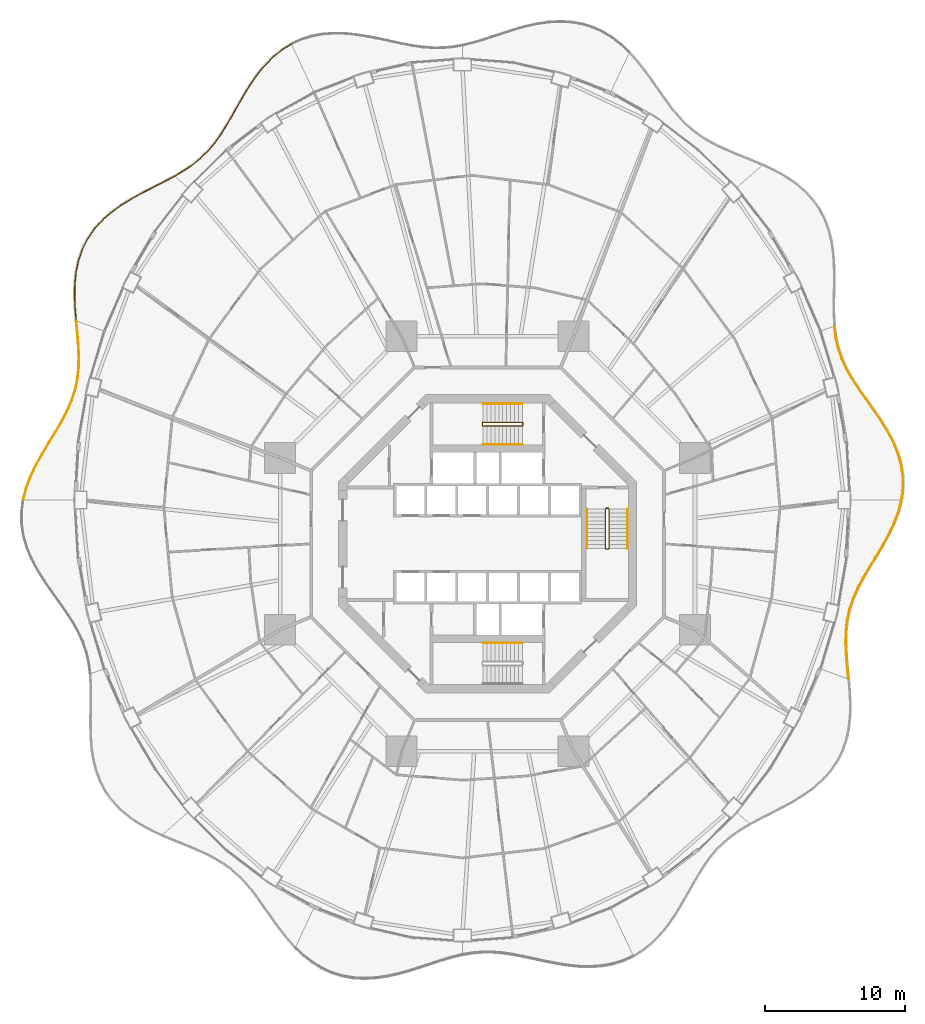
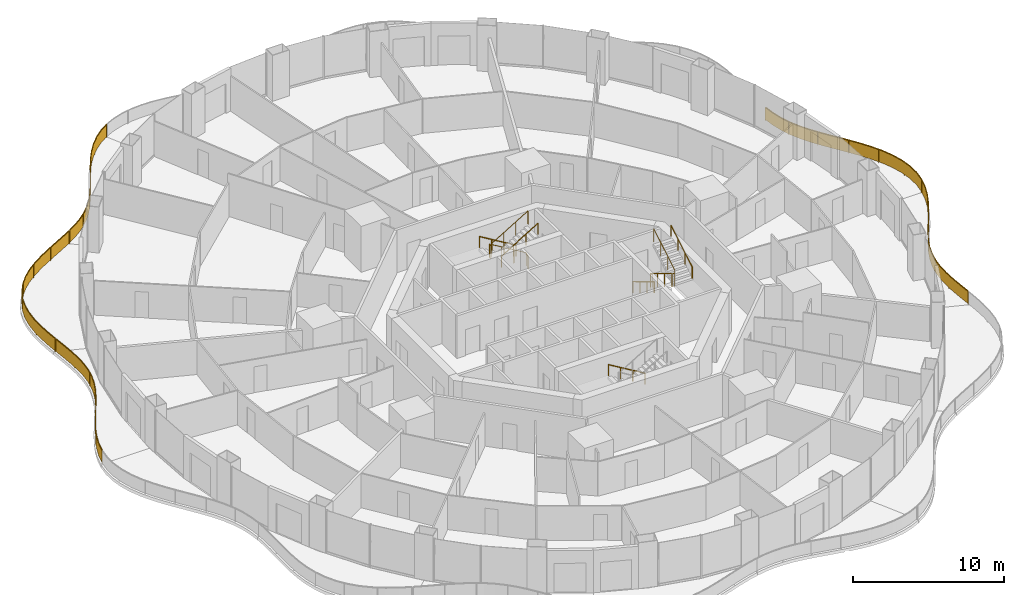
# One storey, part 21 of 22: 12 railings.
"""IFC4 building model written with IfcOpenShell, lengths in metres."""

from ifc_helpers import new_model, si_unit, direction, frame, origin, origin_2d, place, context, subcontext, project, spatial, polyline, rectangle, circle, outline, extrude, material, type_object, element, save


model = new_model("IFC4")

# Units and contexts
model_context = context("Model", 3, precision=1e-05, world=origin(), true_north=direction((0.0, 1.0)))
body_context = subcontext(model_context, "Body", "Model", "MODEL_VIEW")
ifc_project = project(units=[si_unit("LENGTHUNIT", "METRE"), si_unit("AREAUNIT", "SQUARE_METRE"), si_unit("VOLUMEUNIT", "CUBIC_METRE"), si_unit("PLANEANGLEUNIT", "RADIAN"), si_unit("MASSUNIT", "GRAM", prefix="KILO")], contexts=[model_context])

# Site, building, storey
site_placement = place(None, origin())
site = spatial("IfcSite", under=ifc_project, at=site_placement, CompositionType="ELEMENT")
building_placement = place(site_placement, origin())
building = spatial("IfcBuilding", under=site, at=building_placement, Name="Nagisa Residences", CompositionType="ELEMENT")
storey_placement = place(building_placement, frame((0.0, 0.0, 91.800048828125)))
storey = spatial("IfcBuildingStorey", under=building, at=storey_placement, Name="L22", CompositionType="ELEMENT", Elevation=91.800048828125)

# Railings
ifc_material_1 = material(Name="Stainless steel 316", Category="steel")
railing_type_1 = type_object("IfcRailingType", Name="BALCONY GUARD 1100", PredefinedType="BALUSTRADE", material=ifc_material_1)
railing_1_placement = place(storey_placement, frame((29.489501953125, 3.156005859375, 0.0)))
element("IfcRailing", 1, at=railing_1_placement, inside=storey, type_object=railing_type_1, Name="guard:L22:bal00-0", PredefinedType="BALUSTRADE", context=body_context, shape_type="SweptSolid", body=[
    extrude(outline(polyline([(0.078125, 0.807373046875), (-0.02490234375, 0.003173828125), (0.02490234375, -0.003173828125), (0.12841796875, 0.804443359375), (0.118896484375, 1.659423828125), (-0.0087890625, 2.5078125), (-0.249267578125, 3.34326171875), (-0.589599609375, 4.16015625), (-1.01025390625, 4.94140625), (-1.491455078125, 5.713134765625), (-2.00634765625, 6.462890625), (-2.52880859375, 7.19384765625), (-3.033447265625, 7.911865234375), (-3.494384765625, 8.610107421875), (-3.8994140625, 9.32421875), (-4.232421875, 10.049072265625), (-4.48681640625, 10.79296875), (-4.663330078125, 11.562744140625), (-4.761962890625, 12.321533203125), (-4.811767578125, 12.315185546875), (-4.712646484375, 11.553955078125), (-4.53515625, 10.779296875), (-4.27880859375, 10.030517578125), (-3.94384765625, 9.30126953125), (-3.536865234375, 8.583740234375), (-3.074951171875, 7.883544921875), (-2.56982421875, 7.1650390625), (-2.04736328125, 6.43408203125), (-1.533447265625, 5.685791015625), (-1.0537109375, 4.91650390625), (-0.635009765625, 4.138671875), (-0.296630859375, 3.32666015625), (-0.0576171875, 2.4970703125), (0.069091796875, 1.655517578125), (0.078125, 0.807373046875)])), frame((0.0, 0.0, 1.050048828125)), (0.0, 0.0, 1.0), 0.050048828125),
    extrude(outline(polyline([(0.09619140625, 0.806396484375), (-0.0068359375, 0.0009765625), (0.0068359375, -0.0009765625), (0.1103515625, 0.805419921875), (0.10107421875, 1.657958984375), (-0.0263671875, 2.50390625), (-0.266357421875, 3.33740234375), (-0.60595703125, 4.15234375), (-1.02587890625, 4.932373046875), (-1.506591796875, 5.703369140625), (-2.021240234375, 6.452392578125), (-2.543701171875, 7.18359375), (-3.04833984375, 7.901611328125), (-3.509765625, 8.6005859375), (-3.915283203125, 9.31591796875), (-4.2490234375, 10.04248046875), (-4.504150390625, 10.7880859375), (-4.68115234375, 11.5595703125), (-4.780029296875, 12.3193359375), (-4.793701171875, 12.3173828125), (-4.69482421875, 11.55712890625), (-4.517822265625, 10.7841796875), (-4.26220703125, 10.037109375), (-3.927978515625, 9.3095703125), (-3.521484375, 8.59326171875), (-3.06005859375, 7.893798828125), (-2.554931640625, 7.17529296875), (-2.032470703125, 6.444580078125), (-1.518310546875, 5.695556640625), (-1.0380859375, 4.925537109375), (-0.61865234375, 4.146484375), (-0.279541015625, 3.33251953125), (-0.0400390625, 2.5009765625), (0.0869140625, 1.656982421875), (0.09619140625, 0.806396484375)])), frame((0.0, 0.0, 0.06005859375)), (0.0, 0.0, 1.0), 0.989990234375),
    extrude(rectangle(XDim=0.0400390625, YDim=0.0400390625, at=origin_2d()), origin(), (0.0, 0.0, 1.0), 1.050048828125),
    extrude(rectangle(XDim=0.0400390625, YDim=0.0400390625, at=origin_2d()), frame((0.00537109375, 2.245849609375, 0.0)), (0.0, 0.0, 1.0), 1.050048828125),
    extrude(rectangle(XDim=0.0400390625, YDim=0.0400390625, at=origin_2d()), frame((-0.731201171875, 4.3701171875, 0.0)), (0.0, 0.0, 1.0), 1.050048828125),
    extrude(rectangle(XDim=0.0400390625, YDim=0.0400390625, at=origin_2d()), frame((-1.91796875, 6.2900390625, 0.0)), (0.0, 0.0, 1.0), 1.050048828125),
    extrude(rectangle(XDim=0.0400390625, YDim=0.0400390625, at=origin_2d()), frame((-3.214111328125, 8.139892578125, 0.0)), (0.0, 0.0, 1.0), 1.050048828125),
    extrude(rectangle(XDim=0.0400390625, YDim=0.0400390625, at=origin_2d()), frame((-4.2841796875, 10.12353515625, 0.0)), (0.0, 0.0, 1.0), 1.050048828125),
    extrude(rectangle(XDim=0.0400390625, YDim=0.0400390625, at=origin_2d()), frame((-4.786865234375, 12.318359375, 0.0)), (0.0, 0.0, 1.0), 1.050048828125),
])
railing_2_placement = place(storey_placement, frame((-14.01708984375, 35.57763671875, 0.0)))
element("IfcRailing", 2, at=railing_2_placement, inside=storey, type_object=railing_type_1, Name="guard:L22:bal05-0", PredefinedType="BALUSTRADE", context=body_context, shape_type="SweptSolid", body=[
    extrude(outline(polyline([(-0.63916015625, -0.42919921875), (0.01318359375, -0.021240234375), (-0.01318359375, 0.021240234375), (-0.66845703125, -0.38818359375), (-1.312255859375, -0.911376953125), (-1.901123046875, -1.510498046875), (-2.4375, -2.170166015625), (-2.9267578125, -2.873291015625), (-3.36279296875, -3.591796875), (-3.78466796875, -4.32568359375), (-4.191162109375, -5.048828125), (-4.595947265625, -5.74609375), (-5.01220703125, -6.4052734375), (-5.440673828125, -7.0078125), (-5.91650390625, -7.5703125), (-6.43603515625, -8.08251953125), (-7.003662109375, -8.547607421875), (-7.62060546875, -8.972900390625), (-8.2470703125, -9.344970703125), (-8.2216796875, -9.387939453125), (-7.59375, -9.014892578125), (-6.973388671875, -8.587646484375), (-6.40234375, -8.11962890625), (-5.8798828125, -7.6044921875), (-5.401123046875, -7.03857421875), (-4.970703125, -6.43310546875), (-4.552978515625, -5.77197265625), (-4.147705078125, -5.07373046875), (-3.7412109375, -4.3505859375), (-3.31982421875, -3.6171875), (-2.884765625, -2.900634765625), (-2.3974609375, -2.200439453125), (-1.864013671875, -1.543701171875), (-1.278564453125, -0.948486328125), (-0.63916015625, -0.42919921875)])), frame((0.0, 0.0, 1.050048828125)), (0.0, 0.0, 1.0), 0.050048828125),
    extrude(outline(polyline([(-0.649658203125, -0.414306640625), (0.003662109375, -0.005859375), (-0.003662109375, 0.005859375), (-0.657958984375, -0.403076171875), (-1.300048828125, -0.9248046875), (-1.8876953125, -1.5224609375), (-2.423095703125, -2.18115234375), (-2.91162109375, -2.883056640625), (-3.347412109375, -3.600830078125), (-3.76904296875, -4.334716796875), (-4.175537109375, -5.057861328125), (-4.58056640625, -5.75537109375), (-4.997314453125, -6.415283203125), (-5.426513671875, -7.018798828125), (-5.9033203125, -7.58251953125), (-6.423828125, -8.095947265625), (-6.99267578125, -8.56201171875), (-7.61083984375, -8.988037109375), (-8.238037109375, -9.3603515625), (-8.230712890625, -9.37255859375), (-7.603515625, -8.999755859375), (-6.984375, -8.5732421875), (-6.41455078125, -8.106201171875), (-5.89306640625, -7.59228515625), (-5.415283203125, -7.027587890625), (-4.985595703125, -6.423095703125), (-4.568359375, -5.7626953125), (-4.163330078125, -5.064697265625), (-3.7568359375, -4.341552734375), (-3.335205078125, -3.608154296875), (-2.89990234375, -2.890869140625), (-2.411865234375, -2.189453125), (-1.87744140625, -1.53173828125), (-1.290771484375, -0.93505859375), (-0.649658203125, -0.414306640625)])), frame((0.0, 0.0, 0.06005859375)), (0.0, 0.0, 1.0), 0.989990234375),
    extrude(rectangle(XDim=0.0400390625, YDim=0.0400390625, at=origin_2d()), origin(), (0.0, 0.0, 1.0), 1.050048828125),
    extrude(rectangle(XDim=0.0400390625, YDim=0.0400390625, at=origin_2d()), frame((-1.65576171875, -1.29638671875, 0.0)), (0.0, 0.0, 1.0), 1.050048828125),
    extrude(rectangle(XDim=0.0400390625, YDim=0.0400390625, at=origin_2d()), frame((-2.949951171875, -2.959716796875, 0.0)), (0.0, 0.0, 1.0), 1.050048828125),
    extrude(rectangle(XDim=0.0400390625, YDim=0.0400390625, at=origin_2d()), frame((-4.013427734375, -4.78369140625, 0.0)), (0.0, 0.0, 1.0), 1.050048828125),
    extrude(rectangle(XDim=0.0400390625, YDim=0.0400390625, at=origin_2d()), frame((-5.110595703125, -6.586669921875, 0.0)), (0.0, 0.0, 1.0), 1.050048828125),
    extrude(rectangle(XDim=0.0400390625, YDim=0.0400390625, at=origin_2d()), frame((-6.500732421875, -8.167724609375, 0.0)), (0.0, 0.0, 1.0), 1.050048828125),
    extrude(rectangle(XDim=0.0400390625, YDim=0.0400390625, at=origin_2d()), frame((-8.234375, -9.366455078125, 0.0)), (0.0, 0.0, 1.0), 1.050048828125),
])
railing_3_placement = place(storey_placement, frame((-22.316650390625, 26.177001953125, 0.0)))
element("IfcRailing", 3, at=railing_3_placement, inside=storey, type_object=railing_type_1, Name="guard:L22:bal06-0", PredefinedType="BALUSTRADE", context=body_context, shape_type="SweptSolid", body=[
    extrude(outline(polyline([(-0.689453125, -0.396240234375), (0.01171875, -0.02197265625), (-0.01171875, 0.02197265625), (-0.71240234375, -0.351806640625), (-1.48193359375, -0.742919921875), (-2.265869140625, -1.14501953125), (-3.0458984375, -1.57275390625), (-3.80126953125, -2.039794921875), (-4.50390625, -2.543212890625), (-5.1513671875, -3.115234375), (-5.7197265625, -3.747314453125), (-6.195556640625, -4.43896484375), (-6.57275390625, -5.185791015625), (-6.841796875, -5.968505859375), (-7.020263671875, -6.802978515625), (-7.11083984375, -7.666015625), (-7.12841796875, -8.545166015625), (-7.09033203125, -9.429443359375), (-7.020263671875, -10.263916015625), (-6.970458984375, -10.259521484375), (-7.04052734375, -9.426513671875), (-7.078125, -8.544677734375), (-7.06103515625, -7.6689453125), (-6.970947265625, -6.810791015625), (-6.79345703125, -5.981689453125), (-6.5263671875, -5.205322265625), (-6.152587890625, -4.46435546875), (-5.68017578125, -3.778564453125), (-5.1162109375, -3.15087890625), (-4.47265625, -2.582275390625), (-3.7734375, -2.081298828125), (-3.0205078125, -1.6162109375), (-2.242431640625, -1.189453125), (-1.458984375, -0.787353515625), (-0.689453125, -0.396240234375)])), frame((0.0, 0.0, 1.050048828125)), (0.0, 0.0, 1.0), 0.050048828125),
    extrude(outline(polyline([(-0.69775390625, -0.380126953125), (0.003173828125, -0.006103515625), (-0.003173828125, 0.006103515625), (-0.7041015625, -0.367919921875), (-1.4736328125, -0.7587890625), (-2.25732421875, -1.1611328125), (-3.03662109375, -1.58837890625), (-3.791259765625, -2.0546875), (-4.49267578125, -2.557373046875), (-5.138671875, -3.128173828125), (-5.70556640625, -3.758544921875), (-6.18017578125, -4.447998046875), (-6.555908203125, -5.19287109375), (-6.824462890625, -5.97314453125), (-7.00244140625, -6.8056640625), (-7.093017578125, -7.6669921875), (-7.1103515625, -8.544921875), (-7.072509765625, -9.428466796875), (-7.00244140625, -10.26220703125), (-6.98828125, -10.26123046875), (-7.058349609375, -9.427490234375), (-7.09619140625, -8.544921875), (-7.078857421875, -7.66796875), (-6.98876953125, -6.80810546875), (-6.810791015625, -5.97705078125), (-6.543212890625, -5.1982421875), (-6.16796875, -4.455322265625), (-5.6943359375, -3.767333984375), (-5.12890625, -3.137939453125), (-4.48388671875, -2.568115234375), (-3.783447265625, -2.06640625), (-3.02978515625, -1.6005859375), (-2.2509765625, -1.17333984375), (-1.46728515625, -0.771484375), (-0.69775390625, -0.380126953125)])), frame((0.0, 0.0, 0.06005859375)), (0.0, 0.0, 1.0), 0.989990234375),
    extrude(rectangle(XDim=0.0400390625, YDim=0.0400390625, at=origin_2d()), origin(), (0.0, 0.0, 1.0), 1.050048828125),
    extrude(rectangle(XDim=0.0400390625, YDim=0.0400390625, at=origin_2d()), frame((-2.02587890625, -1.050048828125, 0.0)), (0.0, 0.0, 1.0), 1.050048828125),
    extrude(rectangle(XDim=0.0400390625, YDim=0.0400390625, at=origin_2d()), frame((-3.990966796875, -2.206298828125, 0.0)), (0.0, 0.0, 1.0), 1.050048828125),
    extrude(rectangle(XDim=0.0400390625, YDim=0.0400390625, at=origin_2d()), frame((-5.674560546875, -3.734619140625, 0.0)), (0.0, 0.0, 1.0), 1.050048828125),
    extrude(rectangle(XDim=0.0400390625, YDim=0.0400390625, at=origin_2d()), frame((-6.736328125, -5.73876953125, 0.0)), (0.0, 0.0, 1.0), 1.050048828125),
    extrude(rectangle(XDim=0.0400390625, YDim=0.0400390625, at=origin_2d()), frame((-7.09228515625, -7.983642578125, 0.0)), (0.0, 0.0, 1.0), 1.050048828125),
    extrude(rectangle(XDim=0.0400390625, YDim=0.0400390625, at=origin_2d()), frame((-6.995361328125, -10.26171875, 0.0)), (0.0, 0.0, 1.0), 1.050048828125),
])
railing_4_placement = place(storey_placement, frame((-29.3037109375, 15.83935546875, 0.0)))
element("IfcRailing", 4, at=railing_4_placement, inside=storey, type_object=railing_type_1, Name="guard:L22:bal07-0", PredefinedType="BALUSTRADE", context=body_context, shape_type="SweptSolid", body=[
    extrude(outline(polyline([(0.107421875, -0.84521484375), (0.02490234375, 0.00244140625), (-0.02490234375, -0.00244140625), (0.0576171875, -0.849609375), (0.12939453125, -1.71923828125), (0.16455078125, -2.5625), (0.14453125, -3.3779296875), (0.053955078125, -4.166748046875), (-0.112060546875, -4.920166015625), (-0.3623046875, -5.671142578125), (-0.688232421875, -6.4140625), (-1.07958984375, -7.156005859375), (-1.51806640625, -7.904541015625), (-1.981201171875, -8.65185546875), (-2.446533203125, -9.4296875), (-2.88623046875, -10.2265625), (-3.2744140625, -11.043212890625), (-3.587646484375, -11.876953125), (-3.794921875, -12.677734375), (-3.74658203125, -12.6904296875), (-3.539794921875, -11.89208984375), (-3.228515625, -11.062744140625), (-2.841796875, -10.24951171875), (-2.403076171875, -9.45458984375), (-1.938232421875, -8.677734375), (-1.47509765625, -7.930419921875), (-1.03564453125, -7.180419921875), (-0.643310546875, -6.43603515625), (-0.3154296875, -5.689208984375), (-0.063720703125, -4.933349609375), (0.103271484375, -4.175048828125), (0.1943359375, -3.38134765625), (0.21484375, -2.56201171875), (0.17919921875, -1.71630859375), (0.107421875, -0.84521484375)])), frame((0.0, 0.0, 1.050048828125)), (0.0, 0.0, 1.0), 0.050048828125),
    extrude(outline(polyline([(0.089599609375, -0.8466796875), (0.007080078125, 0.000732421875), (-0.007080078125, -0.000732421875), (0.075439453125, -0.84814453125), (0.147216796875, -1.71826171875), (0.1826171875, -2.562255859375), (0.162353515625, -3.379150390625), (0.07177734375, -4.169677734375), (-0.0947265625, -4.9248046875), (-0.345458984375, -5.677734375), (-0.672119140625, -6.422119140625), (-1.063720703125, -7.164794921875), (-1.502685546875, -7.913818359375), (-1.965576171875, -8.6611328125), (-2.430908203125, -9.438720703125), (-2.870361328125, -10.23486328125), (-3.2578125, -11.05029296875), (-3.5703125, -11.88232421875), (-3.777587890625, -12.682373046875), (-3.763916015625, -12.685791015625), (-3.55712890625, -11.88671875), (-3.2451171875, -11.0556640625), (-2.857666015625, -10.2412109375), (-2.418701171875, -9.445556640625), (-1.953857421875, -8.66845703125), (-1.490478515625, -7.921142578125), (-1.051513671875, -7.171630859375), (-0.659423828125, -6.427978515625), (-0.332275390625, -5.6826171875), (-0.0810546875, -4.9287109375), (0.08544921875, -4.172119140625), (0.176513671875, -3.380126953125), (0.19677734375, -2.562255859375), (0.161376953125, -1.71728515625), (0.089599609375, -0.8466796875)])), frame((0.0, 0.0, 0.06005859375)), (0.0, 0.0, 1.0), 0.989990234375),
    extrude(rectangle(XDim=0.0400390625, YDim=0.0400390625, at=origin_2d()), origin(), (0.0, 0.0, 1.0), 1.050048828125),
    extrude(rectangle(XDim=0.0400390625, YDim=0.0400390625, at=origin_2d()), frame((0.177001953125, -2.256591796875, 0.0)), (0.0, 0.0, 1.0), 1.050048828125),
    extrude(rectangle(XDim=0.0400390625, YDim=0.0400390625, at=origin_2d()), frame((0.004638671875, -4.507080078125, 0.0)), (0.0, 0.0, 1.0), 1.050048828125),
    extrude(rectangle(XDim=0.0400390625, YDim=0.0400390625, at=origin_2d()), frame((-0.771484375, -6.625732421875, 0.0)), (0.0, 0.0, 1.0), 1.050048828125),
    extrude(rectangle(XDim=0.0400390625, YDim=0.0400390625, at=origin_2d()), frame((-1.90869140625, -8.58251953125, 0.0)), (0.0, 0.0, 1.0), 1.050048828125),
    extrude(rectangle(XDim=0.0400390625, YDim=0.0400390625, at=origin_2d()), frame((-3.015380859375, -10.556396484375, 0.0)), (0.0, 0.0, 1.0), 1.050048828125),
    extrude(rectangle(XDim=0.0400390625, YDim=0.0400390625, at=origin_2d()), frame((-3.770751953125, -12.68408203125, 0.0)), (0.0, 0.0, 1.0), 1.050048828125),
])
railing_5_placement = place(storey_placement, frame((25.70361328125, -9.60400390625, 0.0)))
element("IfcRailing", 5, at=railing_5_placement, inside=storey, type_object=railing_type_1, Name="guard:L22:bal15-0", PredefinedType="BALUSTRADE", context=body_context, shape_type="SweptSolid", body=[
    extrude(outline(polyline([(-0.107421875, 0.84521484375), (-0.02490234375, -0.00244140625), (0.02490234375, 0.00244140625), (-0.0576171875, 0.849609375), (-0.12939453125, 1.71923828125), (-0.16455078125, 2.5625), (-0.14453125, 3.3779296875), (-0.053955078125, 4.166748046875), (0.1123046875, 4.920166015625), (0.3623046875, 5.67138671875), (0.6884765625, 6.4140625), (1.07958984375, 7.15625), (1.518310546875, 7.904541015625), (1.981201171875, 8.65185546875), (2.446533203125, 9.4296875), (2.88623046875, 10.2265625), (3.274658203125, 11.043212890625), (3.587646484375, 11.876953125), (3.795166015625, 12.677978515625), (3.746826171875, 12.690673828125), (3.539794921875, 11.89208984375), (3.228759765625, 11.062744140625), (2.841796875, 10.24951171875), (2.403076171875, 9.45458984375), (1.938232421875, 8.677734375), (1.475341796875, 7.930419921875), (1.03564453125, 7.1806640625), (0.6435546875, 6.43603515625), (0.3154296875, 5.689453125), (0.06396484375, 4.933349609375), (-0.103271484375, 4.175048828125), (-0.1943359375, 3.38134765625), (-0.21484375, 2.56201171875), (-0.17919921875, 1.71630859375), (-0.107421875, 0.84521484375)])), frame((0.0, 0.0, 1.050048828125)), (0.0, 0.0, 1.0), 0.050048828125),
    extrude(outline(polyline([(-0.089599609375, 0.8466796875), (-0.007080078125, -0.000732421875), (0.007080078125, 0.000732421875), (-0.075439453125, 0.84814453125), (-0.147216796875, 1.71826171875), (-0.1826171875, 2.562255859375), (-0.162353515625, 3.379150390625), (-0.07177734375, 4.169677734375), (0.094970703125, 4.9248046875), (0.345458984375, 5.677978515625), (0.67236328125, 6.422119140625), (1.063720703125, 7.1650390625), (1.5029296875, 7.913818359375), (1.965576171875, 8.6611328125), (2.430908203125, 9.438720703125), (2.870361328125, 10.23486328125), (3.258056640625, 11.05029296875), (3.5703125, 11.88232421875), (3.77783203125, 12.6826171875), (3.76416015625, 12.68603515625), (3.55712890625, 11.88671875), (3.245361328125, 11.0556640625), (2.857666015625, 10.2412109375), (2.418701171875, 9.445556640625), (1.953857421875, 8.66845703125), (1.49072265625, 7.921142578125), (1.051513671875, 7.171875), (0.65966796875, 6.427978515625), (0.332275390625, 5.682861328125), (0.081298828125, 4.9287109375), (-0.08544921875, 4.172119140625), (-0.176513671875, 3.380126953125), (-0.19677734375, 2.562255859375), (-0.161376953125, 1.71728515625), (-0.089599609375, 0.8466796875)])), frame((0.0, 0.0, 0.06005859375)), (0.0, 0.0, 1.0), 0.989990234375),
    extrude(rectangle(XDim=0.0400390625, YDim=0.0400390625, at=origin_2d()), origin(), (0.0, 0.0, 1.0), 1.050048828125),
    extrude(rectangle(XDim=0.0400390625, YDim=0.0400390625, at=origin_2d()), frame((-0.177001953125, 2.2568359375, 0.0)), (0.0, 0.0, 1.0), 1.050048828125),
    extrude(rectangle(XDim=0.0400390625, YDim=0.0400390625, at=origin_2d()), frame((-0.00439453125, 4.507080078125, 0.0)), (0.0, 0.0, 1.0), 1.050048828125),
    extrude(rectangle(XDim=0.0400390625, YDim=0.0400390625, at=origin_2d()), frame((0.771728515625, 6.625732421875, 0.0)), (0.0, 0.0, 1.0), 1.050048828125),
    extrude(rectangle(XDim=0.0400390625, YDim=0.0400390625, at=origin_2d()), frame((1.908935546875, 8.582763671875, 0.0)), (0.0, 0.0, 1.0), 1.050048828125),
    extrude(rectangle(XDim=0.0400390625, YDim=0.0400390625, at=origin_2d()), frame((3.015625, 10.556396484375, 0.0)), (0.0, 0.0, 1.0), 1.050048828125),
    extrude(rectangle(XDim=0.0400390625, YDim=0.0400390625, at=origin_2d()), frame((3.77099609375, 12.684326171875, 0.0)), (0.0, 0.0, 1.0), 1.050048828125),
])
ifc_material_2 = material(Name="Stainless steel", Category="steel")
railing_type_2 = type_object("IfcRailingType", Name="Stair guard 1100", PredefinedType="GUARDRAIL", material=ifc_material_2)
railing_6_placement = place(storey_placement, frame((8.599609375, 2.52490234375, 0.0)))
element("IfcRailing", 6, at=railing_6_placement, inside=storey, type_object=railing_type_2, Name="L22 ST-E stair guard 1", PredefinedType="GUARDRAIL", context=body_context, shape_type="SweptSolid", body=[
    extrude(circle(Radius=0.02392578125, at=origin_2d()), frame((0.0, 0.0, 1.076171875), z_axis=(-1.0, 0.0, 0.0), x_axis=(0.0, -1.0, 0.0)), (0.0, 0.0, 1.0), 0.14990234375),
    extrude(circle(Radius=0.02392578125, at=origin_2d()), frame((-0.14990234375, 0.0, 1.076171875), z_axis=(-0.27434429532, -0.273006030465, 0.922064485248), x_axis=(0.705375805398, -0.708833529934, 0.0)), (0.0, 0.0, 1.0), 0.182373046875),
    extrude(circle(Radius=0.02392578125, at=origin_2d()), frame((-0.199951171875, -0.0498046875, 1.244140625), z_axis=(0.0, -0.857275202839, 0.514858452973), x_axis=(1.0, 0.0, 0.0)), (0.0, 0.0, 1.0), 3.26611328125),
    extrude(circle(Radius=0.02392578125, at=origin_2d()), frame((-0.199951171875, -2.849853515625, 2.92578125), z_axis=(0.707106781187, -0.707106781187, 0.0), x_axis=(0.707106781187, 0.707106781187, 0.0)), (0.0, 0.0, 1.0), 0.07080078125),
    extrude(circle(Radius=0.02392578125, at=origin_2d()), frame((-0.14990234375, -2.89990234375, 2.92578125), z_axis=(1.0, 0.0, 0.0), x_axis=(0.0, 1.0, 0.0)), (0.0, 0.0, 1.0), 0.14990234375),
    extrude(circle(Radius=0.02392578125, at=origin_2d()), frame((0.0, -2.89990234375, 2.92578125), z_axis=(0.274243871929, 0.274243871929, 0.92172696468), x_axis=(-0.707106781187, 0.707106781187, 0.0)), (0.0, 0.0, 1.0), 0.1826171875),
    extrude(circle(Radius=0.02392578125, at=origin_2d()), frame((0.050048828125, -2.849853515625, 3.09423828125), z_axis=(0.0, 0.857242210791, 0.514913383045), x_axis=(-1.0, 0.0, 0.0)), (0.0, 0.0, 1.0), 3.266357421875),
    extrude(circle(Radius=0.02099609375, at=origin_2d()), origin(), (0.0, 0.0, 1.0), 1.052001953125),
    extrude(circle(Radius=0.02099609375, at=origin_2d()), frame((-0.14990234375, 0.0, 0.0)), (0.0, 0.0, 1.0), 1.052001953125),
    extrude(circle(Radius=0.02099609375, at=origin_2d()), frame((-0.199951171875, -0.0498046875, 0.168212890625)), (0.0, 0.0, 1.0), 1.052001953125),
    extrude(circle(Radius=0.02099609375, at=origin_2d()), frame((-0.199951171875, -0.983154296875, 0.728759765625)), (0.0, 0.0, 1.0), 1.052001953125),
    extrude(circle(Radius=0.02099609375, at=origin_2d()), frame((-0.199951171875, -1.91650390625, 1.289306640625)), (0.0, 0.0, 1.0), 1.052001953125),
    extrude(circle(Radius=0.02099609375, at=origin_2d()), frame((-0.199951171875, -2.849853515625, 1.849853515625)), (0.0, 0.0, 1.0), 1.052001953125),
    extrude(circle(Radius=0.02099609375, at=origin_2d()), frame((-0.14990234375, -2.89990234375, 1.849853515625)), (0.0, 0.0, 1.0), 1.052001953125),
    extrude(circle(Radius=0.02099609375, at=origin_2d()), frame((0.0, -2.89990234375, 1.849853515625)), (0.0, 0.0, 1.0), 1.052001953125),
    extrude(circle(Radius=0.02099609375, at=origin_2d()), frame((0.050048828125, -2.849853515625, 2.01806640625)), (0.0, 0.0, 1.0), 1.052001953125),
    extrude(circle(Radius=0.02099609375, at=origin_2d()), frame((0.050048828125, -1.91650390625, 2.57861328125)), (0.0, 0.0, 1.0), 1.052001953125),
    extrude(circle(Radius=0.02099609375, at=origin_2d()), frame((0.050048828125, -0.983154296875, 3.139404296875)), (0.0, 0.0, 1.0), 1.052001953125),
    extrude(circle(Radius=0.02099609375, at=origin_2d()), frame((0.050048828125, -0.0498046875, 3.699951171875)), (0.0, 0.0, 1.0), 1.052001953125),
])
railing_7_placement = place(storey_placement, frame((2.52490234375, 8.44970703125, 0.0)))
element("IfcRailing", 7, at=railing_7_placement, inside=storey, type_object=railing_type_2, Name="L22 ST-N stair guard 1", PredefinedType="GUARDRAIL", context=body_context, shape_type="SweptSolid", body=[
    extrude(circle(Radius=0.02392578125, at=origin_2d()), frame((0.0, 0.0, 1.076171875), z_axis=(0.0, 1.0, 0.0), x_axis=(-1.0, 0.0, 0.0)), (0.0, 0.0, 1.0), 0.14990234375),
    extrude(circle(Radius=0.02392578125, at=origin_2d()), frame((0.0, 0.14990234375, 1.076171875), z_axis=(-0.273006030465, 0.27434429532, 0.922064485248), x_axis=(-0.708833529934, -0.705375805398, 0.0)), (0.0, 0.0, 1.0), 0.182373046875),
    extrude(circle(Radius=0.02392578125, at=origin_2d()), frame((-0.0498046875, 0.199951171875, 1.244140625), z_axis=(-0.857275202839, 0.0, 0.514858452973), x_axis=(0.0, -1.0, 0.0)), (0.0, 0.0, 1.0), 3.26611328125),
    extrude(circle(Radius=0.02392578125, at=origin_2d()), frame((-2.849853515625, 0.199951171875, 2.92578125), z_axis=(-0.707106781187, -0.707106781187, 0.0), x_axis=(0.707106781187, -0.707106781187, 0.0)), (0.0, 0.0, 1.0), 0.07080078125),
    extrude(circle(Radius=0.02392578125, at=origin_2d()), frame((-2.89990234375, 0.14990234375, 2.92578125), z_axis=(0.0, -1.0, 0.0), x_axis=(1.0, 0.0, 0.0)), (0.0, 0.0, 1.0), 0.14990234375),
    extrude(circle(Radius=0.02392578125, at=origin_2d()), frame((-2.89990234375, 0.0, 2.92578125), z_axis=(0.274243871929, -0.274243871929, 0.92172696468), x_axis=(0.707106781187, 0.707106781187, 0.0)), (0.0, 0.0, 1.0), 0.1826171875),
    extrude(circle(Radius=0.02392578125, at=origin_2d()), frame((-2.849853515625, -0.050048828125, 3.09423828125), z_axis=(0.857242210791, 0.0, 0.514913383045), x_axis=(0.0, 1.0, 0.0)), (0.0, 0.0, 1.0), 3.266357421875),
    extrude(circle(Radius=0.02099609375, at=origin_2d()), origin(), (0.0, 0.0, 1.0), 1.052001953125),
    extrude(circle(Radius=0.02099609375, at=origin_2d()), frame((0.0, 0.14990234375, 0.0)), (0.0, 0.0, 1.0), 1.052001953125),
    extrude(circle(Radius=0.02099609375, at=origin_2d()), frame((-0.0498046875, 0.199951171875, 0.168212890625)), (0.0, 0.0, 1.0), 1.052001953125),
    extrude(circle(Radius=0.02099609375, at=origin_2d()), frame((-0.983154296875, 0.199951171875, 0.728759765625)), (0.0, 0.0, 1.0), 1.052001953125),
    extrude(circle(Radius=0.02099609375, at=origin_2d()), frame((-1.91650390625, 0.199951171875, 1.289306640625)), (0.0, 0.0, 1.0), 1.052001953125),
    extrude(circle(Radius=0.02099609375, at=origin_2d()), frame((-2.849853515625, 0.199951171875, 1.849853515625)), (0.0, 0.0, 1.0), 1.052001953125),
    extrude(circle(Radius=0.02099609375, at=origin_2d()), frame((-2.89990234375, 0.14990234375, 1.849853515625)), (0.0, 0.0, 1.0), 1.052001953125),
    extrude(circle(Radius=0.02099609375, at=origin_2d()), frame((-2.89990234375, 0.0, 1.849853515625)), (0.0, 0.0, 1.0), 1.052001953125),
    extrude(circle(Radius=0.02099609375, at=origin_2d()), frame((-2.849853515625, -0.050048828125, 2.01806640625)), (0.0, 0.0, 1.0), 1.052001953125),
    extrude(circle(Radius=0.02099609375, at=origin_2d()), frame((-1.91650390625, -0.050048828125, 2.57861328125)), (0.0, 0.0, 1.0), 1.052001953125),
    extrude(circle(Radius=0.02099609375, at=origin_2d()), frame((-0.983154296875, -0.050048828125, 3.139404296875)), (0.0, 0.0, 1.0), 1.052001953125),
    extrude(circle(Radius=0.02099609375, at=origin_2d()), frame((-0.0498046875, -0.050048828125, 3.699951171875)), (0.0, 0.0, 1.0), 1.052001953125),
])
ifc_material_3 = material(Name="Stainless steel", Category="steel")
railing_type_3 = type_object("IfcRailingType", Name="Stair handrail 900", PredefinedType="HANDRAIL", material=ifc_material_3)
railing_8_placement = place(storey_placement, frame((7.07470703125, 2.47509765625, 0.168212890625)))
element("IfcRailing", 8, at=railing_8_placement, inside=storey, type_object=railing_type_3, Name="L22 ST-E stair handrail 1", PredefinedType="HANDRAIL", context=body_context, shape_type="SweptSolid", body=[
    extrude(circle(Radius=0.02392578125, at=origin_2d()), frame((0.0, 0.0, 0.8759765625), z_axis=(0.0, -0.857275202839, 0.514858452973), x_axis=(1.0, 0.0, 0.0)), (0.0, 0.0, 1.0), 3.26611328125),
    extrude(circle(Radius=0.02099609375, at=origin_2d()), origin(), (0.0, 0.0, 1.0), 0.851806640625),
    extrude(circle(Radius=0.02099609375, at=origin_2d()), frame((0.0, -0.933349609375, 0.560546875)), (0.0, 0.0, 1.0), 0.851806640625),
    extrude(circle(Radius=0.02099609375, at=origin_2d()), frame((0.0, -1.86669921875, 1.12109375)), (0.0, 0.0, 1.0), 0.851806640625),
    extrude(circle(Radius=0.02099609375, at=origin_2d()), frame((0.0, -2.800048828125, 1.681640625)), (0.0, 0.0, 1.0), 0.851806640625),
])
railing_9_placement = place(storey_placement, frame((9.974609375, -0.324951171875, 2.01806640625)))
element("IfcRailing", 9, at=railing_9_placement, inside=storey, type_object=railing_type_3, Name="L22 ST-E stair handrail 2", PredefinedType="HANDRAIL", context=body_context, shape_type="SweptSolid", body=[
    extrude(circle(Radius=0.02392578125, at=origin_2d()), frame((0.0, 0.0, 0.8759765625), z_axis=(0.0, 0.857242210791, 0.514913383045), x_axis=(-1.0, 0.0, 0.0)), (0.0, 0.0, 1.0), 3.266357421875),
    extrude(circle(Radius=0.02099609375, at=origin_2d()), origin(), (0.0, 0.0, 1.0), 0.851806640625),
    extrude(circle(Radius=0.02099609375, at=origin_2d()), frame((0.0, 0.933349609375, 0.560546875)), (0.0, 0.0, 1.0), 0.851806640625),
    extrude(circle(Radius=0.02099609375, at=origin_2d()), frame((0.0, 1.86669921875, 1.121337890625)), (0.0, 0.0, 1.0), 0.851806640625),
    extrude(circle(Radius=0.02099609375, at=origin_2d()), frame((0.0, 2.800048828125, 1.681884765625)), (0.0, 0.0, 1.0), 0.851806640625),
])
railing_10_placement = place(storey_placement, frame((2.47509765625, 9.974609375, 0.168212890625)))
element("IfcRailing", 10, at=railing_10_placement, inside=storey, type_object=railing_type_3, Name="L22 ST-N stair handrail 1", PredefinedType="HANDRAIL", context=body_context, shape_type="SweptSolid", body=[
    extrude(circle(Radius=0.02392578125, at=origin_2d()), frame((0.0, 0.0, 0.8759765625), z_axis=(-0.857275202839, 0.0, 0.514858452973), x_axis=(0.0, -1.0, 0.0)), (0.0, 0.0, 1.0), 3.26611328125),
    extrude(circle(Radius=0.02099609375, at=origin_2d()), origin(), (0.0, 0.0, 1.0), 0.851806640625),
    extrude(circle(Radius=0.02099609375, at=origin_2d()), frame((-0.933349609375, 0.0, 0.560546875)), (0.0, 0.0, 1.0), 0.851806640625),
    extrude(circle(Radius=0.02099609375, at=origin_2d()), frame((-1.86669921875, 0.0, 1.12109375)), (0.0, 0.0, 1.0), 0.851806640625),
    extrude(circle(Radius=0.02099609375, at=origin_2d()), frame((-2.800048828125, 0.0, 1.681640625)), (0.0, 0.0, 1.0), 0.851806640625),
])
railing_11_placement = place(storey_placement, frame((-0.324951171875, 7.07470703125, 2.01806640625)))
element("IfcRailing", 11, at=railing_11_placement, inside=storey, type_object=railing_type_3, Name="L22 ST-N stair handrail 2", PredefinedType="HANDRAIL", context=body_context, shape_type="SweptSolid", body=[
    extrude(circle(Radius=0.02392578125, at=origin_2d()), frame((0.0, 0.0, 0.8759765625), z_axis=(0.857242210791, 0.0, 0.514913383045), x_axis=(0.0, 1.0, 0.0)), (0.0, 0.0, 1.0), 3.266357421875),
    extrude(circle(Radius=0.02099609375, at=origin_2d()), origin(), (0.0, 0.0, 1.0), 0.851806640625),
    extrude(circle(Radius=0.02099609375, at=origin_2d()), frame((0.933349609375, 0.0, 0.560546875)), (0.0, 0.0, 1.0), 0.851806640625),
    extrude(circle(Radius=0.02099609375, at=origin_2d()), frame((1.86669921875, 0.0, 1.121337890625)), (0.0, 0.0, 1.0), 0.851806640625),
    extrude(circle(Radius=0.02099609375, at=origin_2d()), frame((2.800048828125, 0.0, 1.681884765625)), (0.0, 0.0, 1.0), 0.851806640625),
])
railing_12_placement = place(storey_placement, frame((2.47509765625, -7.07470703125, 0.168212890625)))
element("IfcRailing", 12, at=railing_12_placement, inside=storey, type_object=railing_type_3, Name="L22 ST-S stair handrail 1", PredefinedType="HANDRAIL", context=body_context, shape_type="SweptSolid", body=[
    extrude(circle(Radius=0.02392578125, at=origin_2d()), frame((0.0, 0.0, 0.8759765625), z_axis=(-0.857275202839, 0.0, 0.514858452973), x_axis=(0.0, -1.0, 0.0)), (0.0, 0.0, 1.0), 3.26611328125),
    extrude(circle(Radius=0.02099609375, at=origin_2d()), origin(), (0.0, 0.0, 1.0), 0.851806640625),
    extrude(circle(Radius=0.02099609375, at=origin_2d()), frame((-0.933349609375, 0.0, 0.560546875)), (0.0, 0.0, 1.0), 0.851806640625),
    extrude(circle(Radius=0.02099609375, at=origin_2d()), frame((-1.86669921875, 0.0, 1.12109375)), (0.0, 0.0, 1.0), 0.851806640625),
    extrude(circle(Radius=0.02099609375, at=origin_2d()), frame((-2.800048828125, 0.0, 1.681640625)), (0.0, 0.0, 1.0), 0.851806640625),
])

save(model, "model.ifc")
